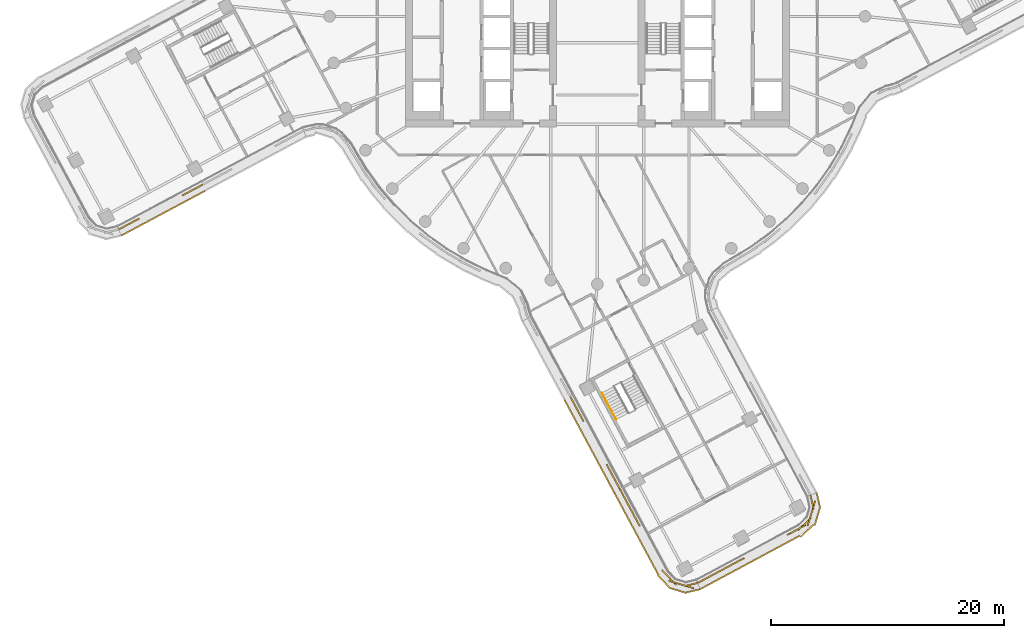
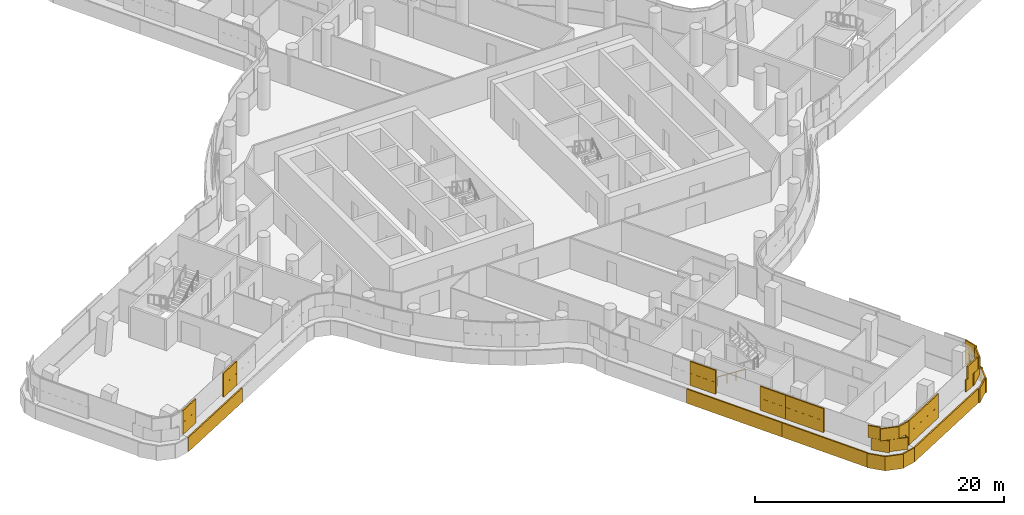
# One storey, part 25 of 33: 4 coverings, 1 railing.
"""IFC4 building model written with IfcOpenShell, lengths in metres."""

from ifc_helpers import new_model, si_unit, direction, frame, origin, origin_2d, place, context, subcontext, project, spatial, rectangle, circle, extrude, material, layer, layer_set, type_object, element, save


model = new_model("IFC4")

# Units and contexts
model_context = context("Model", 3, precision=1e-05, world=origin(), true_north=direction((0.0, 1.0)))
body_context = subcontext(model_context, "Body", "Model", "MODEL_VIEW")
ifc_project = project(units=[si_unit("LENGTHUNIT", "METRE"), si_unit("AREAUNIT", "SQUARE_METRE"), si_unit("VOLUMEUNIT", "CUBIC_METRE"), si_unit("PLANEANGLEUNIT", "RADIAN"), si_unit("MASSUNIT", "GRAM", prefix="KILO")], contexts=[model_context])

# Site, building, storey
site_placement = place(None, origin())
site = spatial("IfcSite", under=ifc_project, at=site_placement, CompositionType="ELEMENT")
building_placement = place(site_placement, origin())
building = spatial("IfcBuilding", under=site, at=building_placement, Name="Tamarind Cross Interchange Tower", CompositionType="ELEMENT")
storey_placement = place(building_placement, frame((0.0, 0.0, 136.75)))
storey = spatial("IfcBuildingStorey", under=building, at=storey_placement, Name="L33", CompositionType="ELEMENT", Elevation=136.75)

# Railing
ifc_material_1 = material(Name="Stair handrail")
railing_type = type_object("IfcRailingType", Name="Stair handrail", PredefinedType="HANDRAIL", material=ifc_material_1)
railing_placement = place(storey_placement, frame((0.386474609375, -32.34619140625, 0.17041015625)))
element("IfcRailing", 1, at=railing_placement, inside=storey, type_object=railing_type, Name="L33 ST6 stair handrail 1", PredefinedType="HANDRAIL", context=body_context, shape_type="SweptSolid", body=[
    extrude(circle(Radius=0.02392578125, at=origin_2d()), frame((0.0, 0.0, 0.8759765625), z_axis=(0.395303833434, -0.73697387302, 0.548274009742), x_axis=(0.88123277385, 0.47268255552, 0.0)), (0.0, 0.0, 1.0), 3.109130859375),
    extrude(circle(Radius=0.02099609375, at=origin_2d()), origin(), (0.0, 0.0, 1.0), 0.851806640625),
    extrude(circle(Radius=0.02099609375, at=origin_2d()), frame((0.40966796875, -0.763671875, 0.568115234375)), (0.0, 0.0, 1.0), 0.851806640625),
    extrude(circle(Radius=0.02099609375, at=origin_2d()), frame((0.8193359375, -1.527587890625, 1.136474609375)), (0.0, 0.0, 1.0), 0.851806640625),
    extrude(circle(Radius=0.02099609375, at=origin_2d()), frame((1.22900390625, -2.291259765625, 1.70458984375)), (0.0, 0.0, 1.0), 0.851806640625),
])

# Coverings
ifc_material_2 = material(Name="Terracotta", Category="masonry")
ifc_layer = layer(ifc_material_2, 0.1201171875)
ifc_layer_set = layer_set([ifc_layer], Name="Terracotta")
covering_type = type_object("IfcCoveringType", Name="Terracotta baguette screen unit", PredefinedType="MOLDING", material=ifc_layer_set)
covering_1_placement = place(storey_placement, origin())
element("IfcCovering", 2, at=covering_1_placement, inside=storey, type_object=covering_type, Name="SCR-L33-05-00", PredefinedType="MOLDING", context=body_context, shape_type="SweptSolid", body=[
    extrude(rectangle(XDim=0.760009765625, YDim=0.1201171875, at=origin_2d()), frame((-40.7890625, -18.125, 1.404052734375), z_axis=(0.0, 0.0, 1.0), x_axis=(0.88215520934, 0.47095879505, 0.0)), (0.0, 0.0, 1.0), 1.1669921875),
    extrude(rectangle(XDim=1.25390625, YDim=0.1201171875, at=origin_2d()), frame((-39.909423828125, -17.655517578125, 1.404052734375), z_axis=(0.0, 0.0, 1.0), x_axis=(0.88215520934, 0.47095879505, 0.0)), (0.0, 0.0, 1.0), 1.1669921875),
    extrude(rectangle(XDim=0.566162109375, YDim=0.1201171875, at=origin_2d()), frame((-35.410400390625, -15.253662109375, 1.404052734375), z_axis=(0.0, 0.0, 1.0), x_axis=(0.88215520934, 0.47095879505, 0.0)), (0.0, 0.0, 1.0), 1.1669921875),
    extrude(rectangle(XDim=1.44775390625, YDim=0.1201171875, at=origin_2d()), frame((-34.531005859375, -14.7841796875, 1.404052734375), z_axis=(0.0, 0.0, 1.0), x_axis=(0.88215520934, 0.47095879505, 0.0)), (0.0, 0.0, 1.0), 1.1669921875),
    extrude(rectangle(XDim=1.510009765625, YDim=0.1201171875, at=origin_2d()), frame((-40.458251953125, -17.948486328125, 2.5791015625), z_axis=(0.0, 0.0, 1.0), x_axis=(0.88215520934, 0.47095879505, 0.0)), (0.0, 0.0, 1.0), 1.1669921875),
    extrude(rectangle(XDim=0.50390625, YDim=0.1201171875, at=origin_2d()), frame((-39.57861328125, -17.47900390625, 2.5791015625), z_axis=(0.0, 0.0, 1.0), x_axis=(0.88215520934, 0.47095879505, 0.0)), (0.0, 0.0, 1.0), 1.1669921875),
    extrude(rectangle(XDim=1.316162109375, YDim=0.1201171875, at=origin_2d()), frame((-35.07958984375, -15.076904296875, 2.5791015625), z_axis=(0.0, 0.0, 1.0), x_axis=(0.88215520934, 0.47095879505, 0.0)), (0.0, 0.0, 1.0), 1.1669921875),
    extrude(rectangle(XDim=0.69775390625, YDim=0.1201171875, at=origin_2d()), frame((-34.2001953125, -14.607421875, 2.5791015625), z_axis=(0.0, 0.0, 1.0), x_axis=(0.88215520934, 0.47095879505, 0.0)), (0.0, 0.0, 1.0), 1.1669921875),
    extrude(rectangle(XDim=0.760009765625, YDim=0.1201171875, at=origin_2d()), frame((-40.580322265625, -18.664306640625, 0.00390625), z_axis=(0.0, 0.0, 1.0), x_axis=(0.88215520934, 0.47095879505, 0.0)), (0.0, 0.0, 1.0), 1.39208984375),
    extrude(rectangle(XDim=1.52001953125, YDim=0.1201171875, at=origin_2d()), frame((-39.59228515625, -18.136962890625, 0.00390625), z_axis=(0.0, 0.0, 1.0), x_axis=(0.88215520934, 0.47095879505, 0.0)), (0.0, 0.0, 1.0), 1.39208984375),
    extrude(rectangle(XDim=1.52001953125, YDim=0.1201171875, at=origin_2d()), frame((-38.26904296875, -17.430419921875, 0.00390625), z_axis=(0.0, 0.0, 1.0), x_axis=(0.88215520934, 0.47095879505, 0.0)), (0.0, 0.0, 1.0), 1.39208984375),
    extrude(rectangle(XDim=1.52001953125, YDim=0.1201171875, at=origin_2d()), frame((-36.94580078125, -16.72412109375, 0.00390625), z_axis=(0.0, 0.0, 1.0), x_axis=(0.88215520934, 0.47095879505, 0.0)), (0.0, 0.0, 1.0), 1.39208984375),
    extrude(rectangle(XDim=1.52001953125, YDim=0.1201171875, at=origin_2d()), frame((-35.62255859375, -16.017578125, 0.00390625), z_axis=(0.0, 0.0, 1.0), x_axis=(0.88215520934, 0.47095879505, 0.0)), (0.0, 0.0, 1.0), 1.39208984375),
    extrude(rectangle(XDim=1.447021484375, YDim=0.1201171875, at=origin_2d()), frame((-34.33154296875, -15.328369140625, 0.00390625), z_axis=(0.0, 0.0, 1.0), x_axis=(0.88215520934, 0.47095879505, 0.0)), (0.0, 0.0, 1.0), 1.39208984375),
])
covering_2_placement = place(storey_placement, origin())
element("IfcCovering", 3, at=covering_2_placement, inside=storey, type_object=covering_type, Name="SCR-L33-07-01", PredefinedType="MOLDING", context=body_context, shape_type="SweptSolid", body=[
    extrude(rectangle(XDim=0.61279296875, YDim=0.1201171875, at=origin_2d()), frame((-2.18212890625, -32.930908203125, 1.404052734375), z_axis=(0.0, 0.0, 1.0), x_axis=(0.472698422046, -0.881224263054, 0.0)), (0.0, 0.0, 1.0), 1.1669921875),
    extrude(rectangle(XDim=1.52001953125, YDim=0.1201171875, at=origin_2d()), frame((-1.685302734375, -33.857421875, 1.404052734375), z_axis=(0.0, 0.0, 1.0), x_axis=(0.472698422046, -0.881224263054, 0.0)), (0.0, 0.0, 1.0), 1.1669921875),
    extrude(rectangle(XDim=0.310546875, YDim=0.1201171875, at=origin_2d()), frame((-1.259765625, -34.650634765625, 1.404052734375), z_axis=(0.0, 0.0, 1.0), x_axis=(0.472698422046, -0.881224263054, 0.0)), (0.0, 0.0, 1.0), 1.1669921875),
    extrude(rectangle(XDim=1.509521484375, YDim=0.1201171875, at=origin_2d()), frame((1.151123046875, -39.144775390625, 1.404052734375), z_axis=(0.0, 0.0, 1.0), x_axis=(0.472698422046, -0.881224263054, 0.0)), (0.0, 0.0, 1.0), 1.1669921875),
    extrude(rectangle(XDim=0.91357421875, YDim=0.1201171875, at=origin_2d()), frame((1.718994140625, -40.203857421875, 1.404052734375), z_axis=(0.0, 0.0, 1.0), x_axis=(0.472698422046, -0.881224263054, 0.0)), (0.0, 0.0, 1.0), 1.1669921875),
    extrude(rectangle(XDim=1.36279296875, YDim=0.1201171875, at=origin_2d()), frame((-2.0048828125, -33.26123046875, 2.5791015625), z_axis=(0.0, 0.0, 1.0), x_axis=(0.472698422046, -0.881224263054, 0.0)), (0.0, 0.0, 1.0), 1.1669921875),
    extrude(rectangle(XDim=1.060546875, YDim=0.1201171875, at=origin_2d()), frame((-1.43701171875, -34.320068359375, 2.5791015625), z_axis=(0.0, 0.0, 1.0), x_axis=(0.472698422046, -0.881224263054, 0.0)), (0.0, 0.0, 1.0), 1.1669921875),
    extrude(rectangle(XDim=0.759521484375, YDim=0.1201171875, at=origin_2d()), frame((0.973876953125, -38.814453125, 2.5791015625), z_axis=(0.0, 0.0, 1.0), x_axis=(0.472698422046, -0.881224263054, 0.0)), (0.0, 0.0, 1.0), 1.1669921875),
    extrude(rectangle(XDim=1.52001953125, YDim=0.1201171875, at=origin_2d()), frame((1.50537109375, -39.8056640625, 2.5791015625), z_axis=(0.0, 0.0, 1.0), x_axis=(0.472698422046, -0.881224263054, 0.0)), (0.0, 0.0, 1.0), 1.1669921875),
    extrude(rectangle(XDim=0.16357421875, YDim=0.1201171875, at=origin_2d()), frame((1.896240234375, -40.5341796875, 2.5791015625), z_axis=(0.0, 0.0, 1.0), x_axis=(0.472698422046, -0.881224263054, 0.0)), (0.0, 0.0, 1.0), 1.1669921875),
    extrude(rectangle(XDim=0.577880859375, YDim=0.1201171875, at=origin_2d()), frame((-2.6953125, -33.188720703125, 0.00390625), z_axis=(0.0, 0.0, 1.0), x_axis=(0.472698422046, -0.881224263054, 0.0)), (0.0, 0.0, 1.0), 1.39208984375),
    extrude(rectangle(XDim=1.52001953125, YDim=0.1201171875, at=origin_2d()), frame((-2.208740234375, -34.095458984375, 0.00390625), z_axis=(0.0, 0.0, 1.0), x_axis=(0.472698422046, -0.881224263054, 0.0)), (0.0, 0.0, 1.0), 1.39208984375),
    extrude(rectangle(XDim=1.52001953125, YDim=0.1201171875, at=origin_2d()), frame((-1.499755859375, -35.417236328125, 0.00390625), z_axis=(0.0, 0.0, 1.0), x_axis=(0.472698422046, -0.881224263054, 0.0)), (0.0, 0.0, 1.0), 1.39208984375),
    extrude(rectangle(XDim=1.52001953125, YDim=0.1201171875, at=origin_2d()), frame((-0.790771484375, -36.7392578125, 0.00390625), z_axis=(0.0, 0.0, 1.0), x_axis=(0.472698422046, -0.881224263054, 0.0)), (0.0, 0.0, 1.0), 1.39208984375),
    extrude(rectangle(XDim=1.52001953125, YDim=0.1201171875, at=origin_2d()), frame((-0.081787109375, -38.06103515625, 0.00390625), z_axis=(0.0, 0.0, 1.0), x_axis=(0.472698422046, -0.881224263054, 0.0)), (0.0, 0.0, 1.0), 1.39208984375),
    extrude(rectangle(XDim=1.52001953125, YDim=0.1201171875, at=origin_2d()), frame((0.62744140625, -39.3828125, 0.00390625), z_axis=(0.0, 0.0, 1.0), x_axis=(0.472698422046, -0.881224263054, 0.0)), (0.0, 0.0, 1.0), 1.39208984375),
    extrude(rectangle(XDim=0.989501953125, YDim=0.1201171875, at=origin_2d()), frame((1.2109375, -40.470947265625, 0.00390625), z_axis=(0.0, 0.0, 1.0), x_axis=(0.472698422046, -0.881224263054, 0.0)), (0.0, 0.0, 1.0), 1.39208984375),
])
covering_3_placement = place(storey_placement, origin())
element("IfcCovering", 4, at=covering_3_placement, inside=storey, type_object=covering_type, Name="SCR-L33-07-02", PredefinedType="MOLDING", context=body_context, shape_type="SweptSolid", body=[
    extrude(rectangle(XDim=0.606201171875, YDim=0.1201171875, at=origin_2d()), frame((2.073486328125, -40.86474609375, 1.404052734375), z_axis=(0.0, 0.0, 1.0), x_axis=(0.472698422046, -0.881224263054, 0.0)), (0.0, 0.0, 1.0), 1.1669921875),
    extrude(rectangle(XDim=1.52001953125, YDim=0.1201171875, at=origin_2d()), frame((2.569091796875, -41.788330078125, 1.404052734375), z_axis=(0.0, 0.0, 1.0), x_axis=(0.472698422046, -0.881224263054, 0.0)), (0.0, 0.0, 1.0), 1.1669921875),
    extrude(rectangle(XDim=1.52001953125, YDim=0.1201171875, at=origin_2d()), frame((3.278076171875, -43.110107421875, 1.404052734375), z_axis=(0.0, 0.0, 1.0), x_axis=(0.472698422046, -0.881224263054, 0.0)), (0.0, 0.0, 1.0), 1.1669921875),
    extrude(rectangle(XDim=1.52001953125, YDim=0.1201171875, at=origin_2d()), frame((6.252685546875, -48.298095703125, 1.404052734375), z_axis=(0.0, 0.0, 1.0), x_axis=(0.684669236185, -0.728853920221, 0.0)), (0.0, 0.0, 1.0), 1.1669921875),
    extrude(rectangle(XDim=1.52001953125, YDim=0.1201171875, at=origin_2d()), frame((7.574462890625, -48.915771484375, 1.404052734375), z_axis=(0.0, 0.0, 1.0), x_axis=(0.957367911837, -0.288871392467, 0.0)), (0.0, 0.0, 1.0), 1.1669921875),
    extrude(rectangle(XDim=0.33349609375, YDim=0.1201171875, at=origin_2d()), frame((8.462158203125, -48.70849609375, 1.404052734375), z_axis=(0.0, 0.0, 1.0), x_axis=(0.973540628652, 0.228513991615, 0.0)), (0.0, 0.0, 1.0), 1.1669921875),
    extrude(rectangle(XDim=1.356201171875, YDim=0.1201171875, at=origin_2d()), frame((2.2509765625, -41.195068359375, 2.5791015625), z_axis=(0.0, 0.0, 1.0), x_axis=(0.472698422046, -0.881224263054, 0.0)), (0.0, 0.0, 1.0), 1.1669921875),
    extrude(rectangle(XDim=1.52001953125, YDim=0.1201171875, at=origin_2d()), frame((2.923583984375, -42.44921875, 2.5791015625), z_axis=(0.0, 0.0, 1.0), x_axis=(0.472698422046, -0.881224263054, 0.0)), (0.0, 0.0, 1.0), 1.1669921875),
    extrude(rectangle(XDim=0.773681640625, YDim=0.1201171875, at=origin_2d()), frame((3.45849609375, -43.446533203125, 2.5791015625), z_axis=(0.0, 0.0, 1.0), x_axis=(0.472698422046, -0.881224263054, 0.0)), (0.0, 0.0, 1.0), 1.1669921875),
    extrude(rectangle(XDim=1.04638671875, YDim=0.1201171875, at=origin_2d()), frame((5.897705078125, -47.92041015625, 2.5791015625), z_axis=(0.0, 0.0, 1.0), x_axis=(0.684669236185, -0.728853920221, 0.0)), (0.0, 0.0, 1.0), 1.1669921875),
    extrude(rectangle(XDim=1.52001953125, YDim=0.1201171875, at=origin_2d()), frame((6.8564453125, -48.698974609375, 2.5791015625), z_axis=(0.0, 0.0, 1.0), x_axis=(0.957367911837, -0.288871392467, 0.0)), (0.0, 0.0, 1.0), 1.1669921875),
    extrude(rectangle(XDim=1.08349609375, YDim=0.1201171875, at=origin_2d()), frame((8.096923828125, -48.794189453125, 2.5791015625), z_axis=(0.0, 0.0, 1.0), x_axis=(0.973540628652, 0.228513991615, 0.0)), (0.0, 0.0, 1.0), 1.1669921875),
    extrude(rectangle(XDim=0.530517578125, YDim=0.1201171875, at=origin_2d()), frame((1.5703125, -41.140625, 0.00390625), z_axis=(0.0, 0.0, 1.0), x_axis=(0.472698422046, -0.881224263054, 0.0)), (0.0, 0.0, 1.0), 1.39208984375),
    extrude(rectangle(XDim=1.52001953125, YDim=0.1201171875, at=origin_2d()), frame((2.04541015625, -42.026611328125, 0.00390625), z_axis=(0.0, 0.0, 1.0), x_axis=(0.472698422046, -0.881224263054, 0.0)), (0.0, 0.0, 1.0), 1.39208984375),
    extrude(rectangle(XDim=1.52001953125, YDim=0.1201171875, at=origin_2d()), frame((2.75439453125, -43.348388671875, 0.00390625), z_axis=(0.0, 0.0, 1.0), x_axis=(0.472698422046, -0.881224263054, 0.0)), (0.0, 0.0, 1.0), 1.39208984375),
    extrude(rectangle(XDim=1.52001953125, YDim=0.1201171875, at=origin_2d()), frame((3.463623046875, -44.670166015625, 0.00390625), z_axis=(0.0, 0.0, 1.0), x_axis=(0.472698422046, -0.881224263054, 0.0)), (0.0, 0.0, 1.0), 1.39208984375),
    extrude(rectangle(XDim=1.52001953125, YDim=0.1201171875, at=origin_2d()), frame((4.172607421875, -45.991943359375, 0.00390625), z_axis=(0.0, 0.0, 1.0), x_axis=(0.472698422046, -0.881224263054, 0.0)), (0.0, 0.0, 1.0), 1.39208984375),
    extrude(rectangle(XDim=1.52001953125, YDim=0.1201171875, at=origin_2d()), frame((4.881591796875, -47.31396484375, 0.00390625), z_axis=(0.0, 0.0, 1.0), x_axis=(0.472698422046, -0.881224263054, 0.0)), (0.0, 0.0, 1.0), 1.39208984375),
    extrude(rectangle(XDim=1.52001953125, YDim=0.1201171875, at=origin_2d()), frame((5.705078125, -48.553466796875, 0.00390625), z_axis=(0.0, 0.0, 1.0), x_axis=(0.684669236185, -0.728853920221, 0.0)), (0.0, 0.0, 1.0), 1.39208984375),
    extrude(rectangle(XDim=1.52001953125, YDim=0.1201171875, at=origin_2d()), frame((6.933349609375, -49.32177734375, 0.00390625), z_axis=(0.0, 0.0, 1.0), x_axis=(0.957367911837, -0.288871392467, 0.0)), (0.0, 0.0, 1.0), 1.39208984375),
    extrude(rectangle(XDim=1.213134765625, YDim=0.1201171875, at=origin_2d()), frame((8.23388671875, -49.3515625, 0.00390625), z_axis=(0.0, 0.0, 1.0), x_axis=(0.973540628652, 0.228513991615, 0.0)), (0.0, 0.0, 1.0), 1.39208984375),
])
covering_4_placement = place(storey_placement, origin())
element("IfcCovering", 5, at=covering_4_placement, inside=storey, type_object=covering_type, Name="SCR-L33-08-00", PredefinedType="MOLDING", context=body_context, shape_type="SweptSolid", body=[
    extrude(rectangle(XDim=0.760009765625, YDim=0.1201171875, at=origin_2d()), frame((8.949951171875, -48.494140625, 1.404052734375), z_axis=(0.0, 0.0, 1.0), x_axis=(0.881224263054, 0.472698422046, 0.0)), (0.0, 0.0, 1.0), 1.1669921875),
    extrude(rectangle(XDim=1.52001953125, YDim=0.1201171875, at=origin_2d()), frame((9.94140625, -47.96240234375, 1.404052734375), z_axis=(0.0, 0.0, 1.0), x_axis=(0.881224263054, 0.472698422046, 0.0)), (0.0, 0.0, 1.0), 1.1669921875),
    extrude(rectangle(XDim=1.52001953125, YDim=0.1201171875, at=origin_2d()), frame((11.26318359375, -47.25341796875, 1.404052734375), z_axis=(0.0, 0.0, 1.0), x_axis=(0.881224263054, 0.472698422046, 0.0)), (0.0, 0.0, 1.0), 1.1669921875),
    extrude(rectangle(XDim=0.784912109375, YDim=0.1201171875, at=origin_2d()), frame((12.265625, -46.7158203125, 1.404052734375), z_axis=(0.0, 0.0, 1.0), x_axis=(0.881224263054, 0.472698422046, 0.0)), (0.0, 0.0, 1.0), 1.1669921875),
    extrude(rectangle(XDim=1.03515625, YDim=0.1201171875, at=origin_2d()), frame((16.759765625, -44.304931640625, 1.404052734375), z_axis=(0.0, 0.0, 1.0), x_axis=(0.881224263054, 0.472698422046, 0.0)), (0.0, 0.0, 1.0), 1.1669921875),
    extrude(rectangle(XDim=1.52001953125, YDim=0.1201171875, at=origin_2d()), frame((17.7998046875, -43.607177734375, 1.404052734375), z_axis=(0.0, 0.0, 1.0), x_axis=(0.728853920221, 0.684669236185, 0.0)), (0.0, 0.0, 1.0), 1.1669921875),
    extrude(rectangle(XDim=1.52001953125, YDim=0.1201171875, at=origin_2d()), frame((18.494873046875, -42.33349609375, 1.404052734375), z_axis=(0.0, 0.0, 1.0), x_axis=(0.288871392467, 0.957367911837, 0.0)), (0.0, 0.0, 1.0), 1.1669921875),
    extrude(rectangle(XDim=0.509521484375, YDim=0.1201171875, at=origin_2d()), frame((18.358642578125, -41.363037109375, 1.404052734375), z_axis=(0.0, 0.0, 1.0), x_axis=(-0.228513991615, 0.973540628652, 0.0)), (0.0, 0.0, 1.0), 1.1669921875),
    extrude(rectangle(XDim=1.510009765625, YDim=0.1201171875, at=origin_2d()), frame((9.280517578125, -48.31689453125, 2.5791015625), z_axis=(0.0, 0.0, 1.0), x_axis=(0.881224263054, 0.472698422046, 0.0)), (0.0, 0.0, 1.0), 1.1669921875),
    extrude(rectangle(XDim=1.52001953125, YDim=0.1201171875, at=origin_2d()), frame((10.602294921875, -47.60791015625, 2.5791015625), z_axis=(0.0, 0.0, 1.0), x_axis=(0.881224263054, 0.472698422046, 0.0)), (0.0, 0.0, 1.0), 1.1669921875),
    extrude(rectangle(XDim=1.52001953125, YDim=0.1201171875, at=origin_2d()), frame((11.924072265625, -46.89892578125, 2.5791015625), z_axis=(0.0, 0.0, 1.0), x_axis=(0.881224263054, 0.472698422046, 0.0)), (0.0, 0.0, 1.0), 1.1669921875),
    extrude(rectangle(XDim=1.52001953125, YDim=0.1201171875, at=origin_2d()), frame((17.21142578125, -44.062744140625, 2.5791015625), z_axis=(0.0, 0.0, 1.0), x_axis=(0.881224263054, 0.472698422046, 0.0)), (0.0, 0.0, 1.0), 1.1669921875),
    extrude(rectangle(XDim=1.52001953125, YDim=0.1201171875, at=origin_2d()), frame((18.2783203125, -43.051513671875, 2.5791015625), z_axis=(0.0, 0.0, 1.0), x_axis=(0.288871392467, 0.957367911837, 0.0)), (0.0, 0.0, 1.0), 1.1669921875),
    extrude(rectangle(XDim=1.259521484375, YDim=0.1201171875, at=origin_2d()), frame((18.4443359375, -41.72802734375, 2.5791015625), z_axis=(0.0, 0.0, 1.0), x_axis=(-0.228513991615, 0.973540628652, 0.0)), (0.0, 0.0, 1.0), 1.1669921875),
    extrude(rectangle(XDim=0.760009765625, YDim=0.1201171875, at=origin_2d()), frame((9.1591796875, -49.033447265625, 0.00390625), z_axis=(0.0, 0.0, 1.0), x_axis=(0.881224263054, 0.472698422046, 0.0)), (0.0, 0.0, 1.0), 1.39208984375),
    extrude(rectangle(XDim=1.52001953125, YDim=0.1201171875, at=origin_2d()), frame((10.14599609375, -48.50390625, 0.00390625), z_axis=(0.0, 0.0, 1.0), x_axis=(0.881224263054, 0.472698422046, 0.0)), (0.0, 0.0, 1.0), 1.39208984375),
    extrude(rectangle(XDim=1.52001953125, YDim=0.1201171875, at=origin_2d()), frame((11.468017578125, -47.794921875, 0.00390625), z_axis=(0.0, 0.0, 1.0), x_axis=(0.881224263054, 0.472698422046, 0.0)), (0.0, 0.0, 1.0), 1.39208984375),
    extrude(rectangle(XDim=1.52001953125, YDim=0.1201171875, at=origin_2d()), frame((12.789794921875, -47.0859375, 0.00390625), z_axis=(0.0, 0.0, 1.0), x_axis=(0.881224263054, 0.472698422046, 0.0)), (0.0, 0.0, 1.0), 1.39208984375),
    extrude(rectangle(XDim=1.52001953125, YDim=0.1201171875, at=origin_2d()), frame((14.111572265625, -46.376953125, 0.00390625), z_axis=(0.0, 0.0, 1.0), x_axis=(0.881224263054, 0.472698422046, 0.0)), (0.0, 0.0, 1.0), 1.39208984375),
    extrude(rectangle(XDim=1.52001953125, YDim=0.1201171875, at=origin_2d()), frame((15.433349609375, -45.667724609375, 0.00390625), z_axis=(0.0, 0.0, 1.0), x_axis=(0.881224263054, 0.472698422046, 0.0)), (0.0, 0.0, 1.0), 1.39208984375),
    extrude(rectangle(XDim=1.52001953125, YDim=0.1201171875, at=origin_2d()), frame((16.75537109375, -44.958740234375, 0.00390625), z_axis=(0.0, 0.0, 1.0), x_axis=(0.881224263054, 0.472698422046, 0.0)), (0.0, 0.0, 1.0), 1.39208984375),
    extrude(rectangle(XDim=1.52001953125, YDim=0.1201171875, at=origin_2d()), frame((18.027587890625, -44.180908203125, 0.00390625), z_axis=(0.0, 0.0, 1.0), x_axis=(0.728853920221, 0.684669236185, 0.0)), (0.0, 0.0, 1.0), 1.39208984375),
    extrude(rectangle(XDim=1.52001953125, YDim=0.1201171875, at=origin_2d()), frame((18.89013671875, -43.0107421875, 0.00390625), z_axis=(0.0, 0.0, 1.0), x_axis=(0.288871392467, 0.957367911837, 0.0)), (0.0, 0.0, 1.0), 1.39208984375),
    extrude(rectangle(XDim=1.426513671875, YDim=0.1201171875, at=origin_2d()), frame((19.00634765625, -41.60986328125, 0.00390625), z_axis=(0.0, 0.0, 1.0), x_axis=(-0.228513991615, 0.973540628652, 0.0)), (0.0, 0.0, 1.0), 1.39208984375),
])

save(model, "model.ifc")
